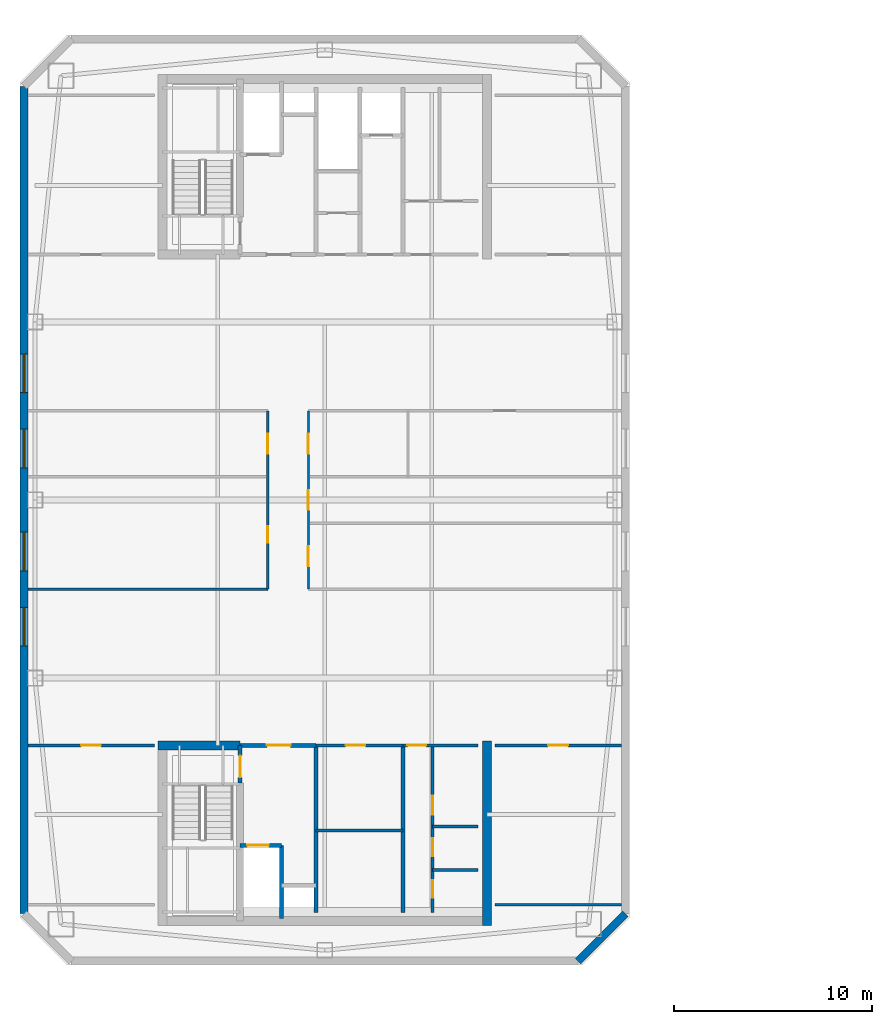
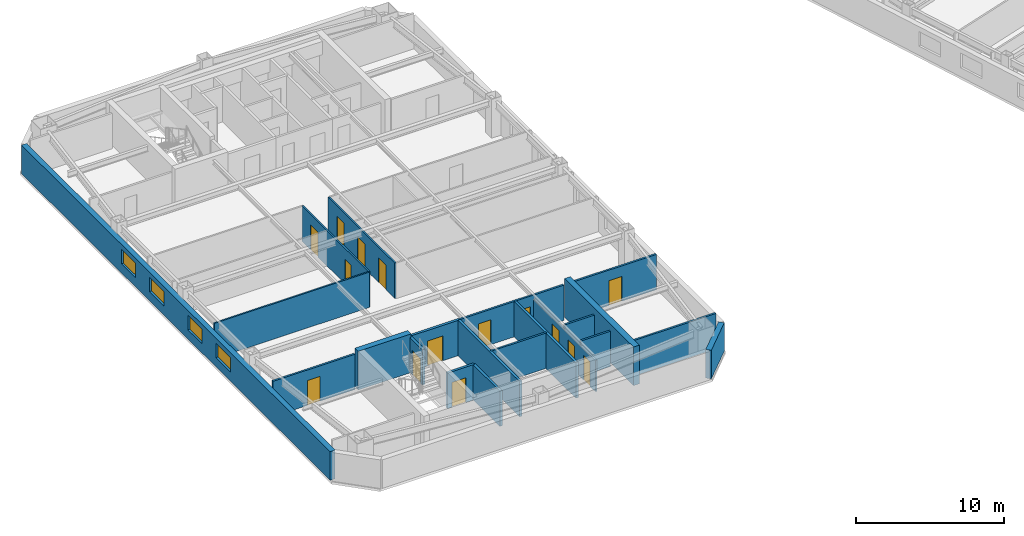
# One storey, part 5 of 13: 22 walls, 15 doors, 4 windows, 19 openings.
"""IFC4 building model written with IfcOpenShell, lengths in metres."""

from ifc_helpers import new_model, si_unit, direction, frame, frame_2d, origin, place, context, subcontext, project, spatial, rectangle, extrude, material, layer, layer_set, type_object, element, fill, save


model = new_model("IFC4")

# Units and contexts
model_context = context("Model", 3, precision=1e-05, world=origin(), true_north=direction((0.0, 1.0)))
body_context = subcontext(model_context, "Body", "Model", "MODEL_VIEW")
ifc_project = project(units=[si_unit("LENGTHUNIT", "METRE"), si_unit("AREAUNIT", "SQUARE_METRE"), si_unit("VOLUMEUNIT", "CUBIC_METRE"), si_unit("PLANEANGLEUNIT", "RADIAN"), si_unit("MASSUNIT", "GRAM", prefix="KILO")], contexts=[model_context])

# Site, building, storey
site_placement = place(None, origin())
site = spatial("IfcSite", under=ifc_project, at=site_placement, CompositionType="ELEMENT")
building_placement = place(site_placement, origin())
building = spatial("IfcBuilding", under=site, at=building_placement, Name="Qiaolan Cultural Towers", CompositionType="ELEMENT")
storey_placement = place(building_placement, frame((0.0, 0.0, 234.39990234375)))
storey = spatial("IfcBuildingStorey", under=building, at=storey_placement, Name="L63", CompositionType="ELEMENT", Elevation=234.39990234375)

# Walls
ifc_material_1 = material(Name="Concrete C50", Category="concrete")
ifc_layer_1 = layer(ifc_material_1, 0.449951171875)
ifc_layer_set_1 = layer_set([ifc_layer_1], Name="Concrete C50")
wall_type_1 = type_object("IfcWallType", Name="WL-CORE-450", PredefinedType="SHEAR", material=ifc_layer_set_1)
wall_1_placement = place(storey_placement, frame((38.199951171875, 21.824951171875, 0.0), z_axis=(0.0, 0.0, 1.0), x_axis=(0.0, -1.0, 0.0)))
element("IfcWall", 1, at=wall_1_placement, inside=storey, type_object=wall_type_1, Name="L63 T1-CS East Core Shear Wall", PredefinedType="SHEAR", context=body_context, shape_type="SweptSolid", body=[
    extrude(rectangle(XDim=9.329833984375, YDim=0.449951171875, at=frame_2d((4.6650390625, 0.0))), origin(), (0.0, 0.0, 1.0), 3.2001953125),
])
wall_2_placement = place(storey_placement, frame((21.574951171875, 21.60009765625, 0.0), z_axis=(0.0, 0.0, 1.0), x_axis=(1.0, 0.0, 0.0)))
element("IfcWall", 2, at=wall_2_placement, inside=storey, type_object=wall_type_1, Name="L63 T1-CS Stair Front Shear Wall", PredefinedType="SHEAR", context=body_context, shape_type="SweptSolid", body=[
    extrude(rectangle(XDim=4.14501953125, YDim=0.449951171875, at=frame_2d((2.072509765625, 0.0))), origin(), (0.0, 0.0, 1.0), 3.2001953125),
])

# Wall, openings, windows
ifc_material_2 = material(Name="Precast Concrete C50 Honed Stone Pier", Category="masonry")
ifc_layer_2 = layer(ifc_material_2, 0.39990234375)
ifc_layer_set_2 = layer_set([ifc_layer_2], Name="Precast Concrete C50 Honed Stone Pier")
wall_type_2 = type_object("IfcWallType", Name="WL-EXT-PIER-400", PredefinedType="SOLIDWALL", material=ifc_layer_set_2)
wall_3_placement = place(storey_placement, frame((14.800048828125, 13.10009765625, 0.0), z_axis=(0.0, 0.0, 1.0), x_axis=(0.0, 1.0, 0.0)))
wall_3 = element("IfcWall", 3, at=wall_3_placement, inside=storey, type_object=wall_type_2, Name="L63 West Tower Precast Pier Facade Wall F1", PredefinedType="SOLIDWALL", context=body_context, shape_type="SweptSolid", body=[
    extrude(rectangle(XDim=41.7998046875, YDim=0.39990234375, at=frame_2d((20.89990234375, 0.0))), origin(), (0.0, 0.0, 1.0), 2.360107421875),
])
opening_1_placement = place(wall_3_placement, frame((13.52490234375, 0.0, 0.75)))
opening_1 = element("IfcOpeningElement", 4, at=opening_1_placement, cuts=wall_3, Name="Opening W-06", PredefinedType="OPENING", context=body_context, shape_type="SweptSolid", body=[
    extrude(rectangle(XDim=1.949951171875, YDim=1.2099609375, at=frame_2d((0.97509765625, 0.60498046875))), frame((0.0, 0.2099609375, 0.0), z_axis=(0.0, -1.0, 0.0), x_axis=(1.0, 0.0, 0.0)), (0.0, 0.0, 1.0), 0.419921875),
])
opening_2_placement = place(wall_3_placement, frame((17.324951171875, 0.0, 0.75)))
opening_2 = element("IfcOpeningElement", 5, at=opening_2_placement, cuts=wall_3, Name="Opening W-06", PredefinedType="OPENING", context=body_context, shape_type="SweptSolid", body=[
    extrude(rectangle(XDim=1.949951171875, YDim=1.2099609375, at=frame_2d((0.97509765625, 0.60498046875))), frame((0.0, 0.2099609375, 0.0), z_axis=(0.0, -1.0, 0.0), x_axis=(1.0, 0.0, 0.0)), (0.0, 0.0, 1.0), 0.419921875),
])
opening_3_placement = place(wall_3_placement, frame((22.52490234375, 0.0, 0.75)))
opening_3 = element("IfcOpeningElement", 6, at=opening_3_placement, cuts=wall_3, Name="Opening W-06", PredefinedType="OPENING", context=body_context, shape_type="SweptSolid", body=[
    extrude(rectangle(XDim=1.949951171875, YDim=1.2099609375, at=frame_2d((0.97509765625, 0.60498046875))), frame((0.0, 0.2099609375, 0.0), z_axis=(0.0, -1.0, 0.0), x_axis=(1.0, 0.0, 0.0)), (0.0, 0.0, 1.0), 0.419921875),
])
opening_4_placement = place(wall_3_placement, frame((26.324951171875, 0.0, 0.75)))
opening_4 = element("IfcOpeningElement", 7, at=opening_4_placement, cuts=wall_3, Name="Opening W-06", PredefinedType="OPENING", context=body_context, shape_type="SweptSolid", body=[
    extrude(rectangle(XDim=1.949951171875, YDim=1.2099609375, at=frame_2d((0.97509765625, 0.60498046875))), frame((0.0, 0.2099609375, 0.0), z_axis=(0.0, -1.0, 0.0), x_axis=(1.0, 0.0, 0.0)), (0.0, 0.0, 1.0), 0.419921875),
])
ifc_material_3 = material(Name="Thermally Broken Aluminium Triple Low-E Glazing", Category="aluminium")
window_type = type_object("IfcWindowType", Name="WN-CHIC-1950", PartitioningType="SINGLE_PANEL", PredefinedType="WINDOW", material=ifc_material_3)
window_1_placement = place(opening_1_placement, origin())
window_1 = element("IfcWindow", 8, at=window_1_placement, inside=storey, type_object=window_type, Name="L63 T1 W Chicago Bay Window 1", OverallHeight=1.2099609375, OverallWidth=1.949951171875, PartitioningType="TRIPLE_PANEL_VERTICAL", PredefinedType="WINDOW", context=body_context, shape_type="SweptSolid", body=[
    extrude(rectangle(XDim=1.949951171875, YDim=1.2099609375, at=frame_2d((0.97509765625, 0.60498046875))), frame((0.0, 0.030029296875, 0.0), z_axis=(0.0, -1.0, 0.0), x_axis=(1.0, 0.0, 0.0)), (0.0, 0.0, 1.0), 0.06005859375),
])
fill(opening_1, window_1)
window_2_placement = place(opening_2_placement, origin())
window_2 = element("IfcWindow", 9, at=window_2_placement, inside=storey, type_object=window_type, Name="L63 T1 W Chicago Bay Window 2", OverallHeight=1.2099609375, OverallWidth=1.949951171875, PartitioningType="TRIPLE_PANEL_VERTICAL", PredefinedType="WINDOW", context=body_context, shape_type="SweptSolid", body=[
    extrude(rectangle(XDim=1.949951171875, YDim=1.2099609375, at=frame_2d((0.97509765625, 0.60498046875))), frame((0.0, 0.030029296875, 0.0), z_axis=(0.0, -1.0, 0.0), x_axis=(1.0, 0.0, 0.0)), (0.0, 0.0, 1.0), 0.06005859375),
])
fill(opening_2, window_2)
window_3_placement = place(opening_3_placement, origin())
window_3 = element("IfcWindow", 10, at=window_3_placement, inside=storey, type_object=window_type, Name="L63 T1 W Chicago Bay Window 3", OverallHeight=1.2099609375, OverallWidth=1.949951171875, PartitioningType="TRIPLE_PANEL_VERTICAL", PredefinedType="WINDOW", context=body_context, shape_type="SweptSolid", body=[
    extrude(rectangle(XDim=1.949951171875, YDim=1.2099609375, at=frame_2d((0.97509765625, 0.60498046875))), frame((0.0, 0.030029296875, 0.0), z_axis=(0.0, -1.0, 0.0), x_axis=(1.0, 0.0, 0.0)), (0.0, 0.0, 1.0), 0.06005859375),
])
fill(opening_3, window_3)
window_4_placement = place(opening_4_placement, origin())
window_4 = element("IfcWindow", 11, at=window_4_placement, inside=storey, type_object=window_type, Name="L63 T1 W Chicago Bay Window 4", OverallHeight=1.2099609375, OverallWidth=1.949951171875, PartitioningType="TRIPLE_PANEL_VERTICAL", PredefinedType="WINDOW", context=body_context, shape_type="SweptSolid", body=[
    extrude(rectangle(XDim=1.949951171875, YDim=1.2099609375, at=frame_2d((0.97509765625, 0.60498046875))), frame((0.0, 0.030029296875, 0.0), z_axis=(0.0, -1.0, 0.0), x_axis=(1.0, 0.0, 0.0)), (0.0, 0.0, 1.0), 0.06005859375),
])
fill(opening_4, window_4)

# Wall
wall_4_placement = place(storey_placement, frame((45.199951171875, 13.10009765625, 0.0), z_axis=(0.0, 0.0, 1.0), x_axis=(-0.707070815327, -0.707142745217, 0.0)))
element("IfcWall", 12, at=wall_4_placement, inside=storey, type_object=wall_type_2, Name="L63 West Tower Precast Pier Facade Wall F6", PredefinedType="SOLIDWALL", context=body_context, shape_type="SweptSolid", body=[
    extrude(rectangle(XDim=3.39404296875, YDim=0.39990234375, at=frame_2d((1.697021484375, 0.0))), origin(), (0.0, 0.0, 1.0), 2.360107421875),
])

# Wall, opening, door
ifc_material_4 = material(Name="Concrete C35 Fire Wall", Category="concrete")
ifc_layer_3 = layer(ifc_material_4, 0.199951171875)
ifc_layer_set_3 = layer_set([ifc_layer_3], Name="Concrete C35 Fire Wall")
wall_type_3 = type_object("IfcWallType", Name="WL-FIRE-200", PredefinedType="PARTITIONING", material=ifc_layer_set_3)
wall_5_placement = place(storey_placement, frame((25.719970703125, 21.60009765625, 0.0), z_axis=(0.0, 0.0, 1.0), x_axis=(0.0, -1.0, 0.0)))
wall_5 = element("IfcWall", 13, at=wall_5_placement, inside=storey, type_object=wall_type_3, Name="L63 T1-CS Smokeproof Stair Entry Wall", PredefinedType="PARTITIONING", context=body_context, shape_type="SweptSolid", body=[
    extrude(rectangle(XDim=1.900146484375, YDim=0.199951171875, at=frame_2d((0.9501953125, 0.0))), origin(), (0.0, 0.0, 1.0), 2.925048828125),
])
opening_5_placement = place(wall_5_placement, frame((0.52001953125, 0.0, 0.0)))
opening_5 = element("IfcOpeningElement", 14, at=opening_5_placement, cuts=wall_5, Name="Opening FD-04", PredefinedType="OPENING", context=body_context, shape_type="SweptSolid", body=[
    extrude(rectangle(XDim=1.10009765625, YDim=2.050048828125, at=frame_2d((0.550048828125, 1.02490234375))), frame((0.0, 0.10986328125, 0.0), z_axis=(0.0, -1.0, 0.0), x_axis=(1.0, 0.0, 0.0)), (0.0, 0.0, 1.0), 0.219970703125),
])
ifc_material_5 = material(Name="Galvanized Steel Command Fire Door", Category="steel")
door_type_1 = type_object("IfcDoorType", Name="DR-FD90-1100", OperationType="NOTDEFINED", PredefinedType="DOOR", material=ifc_material_5)
door_1_placement = place(opening_5_placement, origin())
door_1 = element("IfcDoor", 15, at=door_1_placement, inside=storey, type_object=door_type_1, Name="L63 ST-W1 Smokeproof Stair Fire Door", OperationType="SINGLE_SWING_LEFT", OverallHeight=2.050048828125, OverallWidth=1.10009765625, PredefinedType="DOOR", context=body_context, shape_type="SweptSolid", body=[
    extrude(rectangle(XDim=1.10009765625, YDim=2.050048828125, at=frame_2d((0.550048828125, 1.02490234375))), frame((0.0, 0.02490234375, 0.0), z_axis=(0.0, -1.0, 0.0), x_axis=(1.0, 0.0, 0.0)), (0.0, 0.0, 1.0), 0.050048828125),
])
fill(opening_5, door_1)

# Wall
wall_6_placement = place(storey_placement, frame((29.550048828125, 21.60009765625, 0.0), z_axis=(0.0, 0.0, 1.0), x_axis=(0.0, -1.0, 0.0)))
element("IfcWall", 16, at=wall_6_placement, inside=storey, type_object=wall_type_3, Name="L63 T1-CS Firefighting Zone Wall", PredefinedType="PARTITIONING", context=body_context, shape_type="SweptSolid", body=[
    extrude(rectangle(XDim=8.43017578125, YDim=0.199951171875, at=frame_2d((4.215087890625, 0.0))), origin(), (0.0, 0.0, 1.0), 2.925048828125),
])

# Wall, opening, door
wall_7_placement = place(storey_placement, frame((25.719970703125, 21.60009765625, 0.0), z_axis=(0.0, 0.0, 1.0), x_axis=(1.0, 0.0, 0.0)))
wall_7 = element("IfcWall", 17, at=wall_7_placement, inside=storey, type_object=wall_type_3, Name="L63 T1-CS Firefighting Lobby Front Wall", PredefinedType="PARTITIONING", context=body_context, shape_type="SweptSolid", body=[
    extrude(rectangle(XDim=3.830078125, YDim=0.199951171875, at=frame_2d((1.9150390625, 0.0))), origin(), (0.0, 0.0, 1.0), 2.925048828125),
])
opening_6_placement = place(wall_7_placement, frame((1.35009765625, 0.0, 0.0)))
opening_6 = element("IfcOpeningElement", 18, at=opening_6_placement, cuts=wall_7, Name="Opening FD-03", PredefinedType="OPENING", context=body_context, shape_type="SweptSolid", body=[
    extrude(rectangle(XDim=1.199951171875, YDim=2.050048828125, at=frame_2d((0.60009765625, 1.02490234375))), frame((0.0, 0.10986328125, 0.0), z_axis=(0.0, -1.0, 0.0), x_axis=(1.0, 0.0, 0.0)), (0.0, 0.0, 1.0), 0.219970703125),
])
ifc_material_6 = material(Name="Galvanized Steel Smokeproof Lobby Fire Door", Category="steel")
door_type_2 = type_object("IfcDoorType", Name="DR-FD90-1200", OperationType="NOTDEFINED", PredefinedType="DOOR", material=ifc_material_6)
door_2_placement = place(opening_6_placement, origin())
door_2 = element("IfcDoor", 19, at=door_2_placement, inside=storey, type_object=door_type_2, Name="L63 FFL-W1 Firefighting Lobby Fire Door", OperationType="SINGLE_SWING_LEFT", OverallHeight=2.050048828125, OverallWidth=1.199951171875, PredefinedType="DOOR", context=body_context, shape_type="SweptSolid", body=[
    extrude(rectangle(XDim=1.199951171875, YDim=2.050048828125, at=frame_2d((0.60009765625, 1.02490234375))), frame((0.0, 0.02490234375, 0.0), z_axis=(0.0, -1.0, 0.0), x_axis=(1.0, 0.0, 0.0)), (0.0, 0.0, 1.0), 0.050048828125),
])
fill(opening_6, door_2)

wall_8_placement = place(storey_placement, frame((25.719970703125, 16.550048828125, 0.0), z_axis=(0.0, 0.0, 1.0), x_axis=(1.0, 0.0, 0.0)))
wall_8 = element("IfcWall", 20, at=wall_8_placement, inside=storey, type_object=wall_type_3, Name="L63 T1-CS Firefighting Shaft Front Wall", PredefinedType="PARTITIONING", context=body_context, shape_type="SweptSolid", body=[
    extrude(rectangle(XDim=2.10009765625, YDim=0.199951171875, at=frame_2d((1.050048828125, 0.0))), origin(), (0.0, 0.0, 1.0), 2.925048828125),
])
opening_7_placement = place(wall_8_placement, frame((0.35009765625, 0.0, 0.0)))
opening_7 = element("IfcOpeningElement", 21, at=opening_7_placement, cuts=wall_8, Name="Opening LD-01", PredefinedType="OPENING", context=body_context, shape_type="SweptSolid", body=[
    extrude(rectangle(XDim=1.10009765625, YDim=2.050048828125, at=frame_2d((0.550048828125, 1.02490234375))), frame((0.0, 0.10986328125, 0.0), z_axis=(0.0, -1.0, 0.0), x_axis=(1.0, 0.0, 0.0)), (0.0, 0.0, 1.0), 0.219970703125),
])
ifc_material_7 = material(Name="Brushed Stainless Steel S30408 Centre-Parting Lift Landing Door", Category="steel")
door_type_3 = type_object("IfcDoorType", Name="DR-LIFT-1100", OperationType="NOTDEFINED", PredefinedType="DOOR", material=ifc_material_7)
door_3_placement = place(opening_7_placement, origin())
door_3 = element("IfcDoor", 22, at=door_3_placement, inside=storey, type_object=door_type_3, Name="L63 FFL-W1 Firefighting Lift Landing Door", OperationType="DOUBLE_DOOR_SLIDING", OverallHeight=2.050048828125, OverallWidth=1.10009765625, PredefinedType="DOOR", context=body_context, shape_type="SweptSolid", body=[
    extrude(rectangle(XDim=1.10009765625, YDim=2.050048828125, at=frame_2d((0.550048828125, 1.02490234375))), frame((0.0, 0.02490234375, 0.0), z_axis=(0.0, -1.0, 0.0), x_axis=(1.0, 0.0, 0.0)), (0.0, 0.0, 1.0), 0.050048828125),
])
fill(opening_7, door_3)

# Walls
wall_9_placement = place(storey_placement, frame((27.820068359375, 16.550048828125, 0.0), z_axis=(0.0, 0.0, 1.0), x_axis=(0.0, -1.0, 0.0)))
element("IfcWall", 23, at=wall_9_placement, inside=storey, type_object=wall_type_3, Name="L63 T1-CS Firefighting Hoistway East Wall", PredefinedType="PARTITIONING", context=body_context, shape_type="SweptSolid", body=[
    extrude(rectangle(XDim=3.699951171875, YDim=0.199951171875, at=frame_2d((1.85009765625, 0.0))), origin(), (0.0, 0.0, 1.0), 2.925048828125),
])
wall_10_placement = place(storey_placement, frame((33.949951171875, 21.60009765625, 0.0), z_axis=(0.0, 0.0, 1.0), x_axis=(0.0, -1.0, 0.0)))
element("IfcWall", 24, at=wall_10_placement, inside=storey, type_object=wall_type_3, Name="L63 T1-CS Lift Core East Wall", PredefinedType="PARTITIONING", context=body_context, shape_type="SweptSolid", body=[
    extrude(rectangle(XDim=8.43017578125, YDim=0.199951171875, at=frame_2d((4.215087890625, 0.0))), origin(), (0.0, 0.0, 1.0), 2.925048828125),
])
ifc_material_8 = material(Name="Gypsum Stud Acoustic Partition", Category="gypsum")
ifc_layer_4 = layer(ifc_material_8, 0.1201171875)
ifc_layer_set_4 = layer_set([ifc_layer_4], Name="Gypsum Stud Acoustic Partition")
wall_type_4 = type_object("IfcWallType", Name="WL-PART-120", PredefinedType="PARTITIONING", material=ifc_layer_set_4)
wall_11_placement = place(storey_placement, frame((15.0, 29.5, 0.0), z_axis=(0.0, 0.0, 1.0), x_axis=(1.0, 0.0, 0.0)))
element("IfcWall", 25, at=wall_11_placement, inside=storey, type_object=wall_type_4, Name="L63 T1 South Foyer West Wall", PredefinedType="PARTITIONING", context=body_context, shape_type="SweptSolid", body=[
    extrude(rectangle(XDim=12.125, YDim=0.1201171875, at=frame_2d((6.0625, 0.0))), origin(), (0.0, 0.0, 1.0), 2.925048828125),
])

# Wall, openings, doors
wall_12_placement = place(storey_placement, frame((27.125, 29.5, 0.0), z_axis=(0.0, 0.0, 1.0), x_axis=(0.0, 1.0, 0.0)))
wall_12 = element("IfcWall", 26, at=wall_12_placement, inside=storey, type_object=wall_type_4, Name="L63 T1 Central Spine West Wall", PredefinedType="PARTITIONING", context=body_context, shape_type="SweptSolid", body=[
    extrude(rectangle(XDim=9.0, YDim=0.1201171875, at=frame_2d((4.5, 0.0))), origin(), (0.0, 0.0, 1.0), 2.925048828125),
])
opening_8_placement = place(wall_12_placement, frame((2.3349609375, 0.0, 0.0)))
opening_8 = element("IfcOpeningElement", 27, at=opening_8_placement, cuts=wall_12, Name="Opening ID-09", PredefinedType="OPENING", context=body_context, shape_type="SweptSolid", body=[
    extrude(rectangle(XDim=0.85009765625, YDim=2.050048828125, at=frame_2d((0.425048828125, 1.02490234375))), frame((0.0, 0.070068359375, 0.0), z_axis=(0.0, -1.0, 0.0), x_axis=(1.0, 0.0, 0.0)), (0.0, 0.0, 1.0), 0.14013671875),
])
opening_9_placement = place(wall_12_placement, frame((6.8349609375, 0.0, 0.0)))
opening_9 = element("IfcOpeningElement", 28, at=opening_9_placement, cuts=wall_12, Name="Opening ID-04", PredefinedType="OPENING", context=body_context, shape_type="SweptSolid", body=[
    extrude(rectangle(XDim=1.0, YDim=2.050048828125, at=frame_2d((0.5, 1.02490234375))), frame((0.0, 0.070068359375, 0.0), z_axis=(0.0, -1.0, 0.0), x_axis=(1.0, 0.0, 0.0)), (0.0, 0.0, 1.0), 0.14013671875),
])
ifc_material_9 = material(Name="Oak Veneer Acoustic Office Door", Category="timber")
door_type_4 = type_object("IfcDoorType", Name="DR-INT-1000", OperationType="NOTDEFINED", PredefinedType="DOOR", material=ifc_material_9)
door_4_placement = place(opening_9_placement, origin())
door_4 = element("IfcDoor", 29, at=door_4_placement, inside=storey, type_object=door_type_4, Name="L63 T1 Diplomatic Lounge Door", OperationType="SINGLE_SWING_RIGHT", OverallHeight=2.050048828125, OverallWidth=1.0, PredefinedType="DOOR", context=body_context, shape_type="SweptSolid", body=[
    extrude(rectangle(XDim=1.0, YDim=2.050048828125, at=frame_2d((0.5, 1.02490234375))), frame((0.0, 0.02490234375, 0.0), z_axis=(0.0, -1.0, 0.0), x_axis=(1.0, 0.0, 0.0)), (0.0, 0.0, 1.0), 0.050048828125),
])
fill(opening_9, door_4)
ifc_material_10 = material(Name="Moisture-Resistant Laminate Utility Door", Category="timber")
door_type_5 = type_object("IfcDoorType", Name="DR-INT-850", OperationType="NOTDEFINED", PredefinedType="DOOR", material=ifc_material_10)
door_5_placement = place(opening_8_placement, origin())
door_5 = element("IfcDoor", 30, at=door_5_placement, inside=storey, type_object=door_type_5, Name="L63 T1 Presidential Conference Room Door", OperationType="SINGLE_SWING_LEFT", OverallHeight=2.050048828125, OverallWidth=0.85009765625, PredefinedType="DOOR", context=body_context, shape_type="SweptSolid", body=[
    extrude(rectangle(XDim=0.85009765625, YDim=2.050048828125, at=frame_2d((0.425048828125, 1.02490234375))), frame((0.0, 0.02490234375, 0.0), z_axis=(0.0, -1.0, 0.0), x_axis=(1.0, 0.0, 0.0)), (0.0, 0.0, 1.0), 0.050048828125),
])
fill(opening_8, door_5)

wall_13_placement = place(storey_placement, frame((29.175048828125, 29.5, 0.0), z_axis=(0.0, 0.0, 1.0), x_axis=(0.0, 1.0, 0.0)))
wall_13 = element("IfcWall", 31, at=wall_13_placement, inside=storey, type_object=wall_type_4, Name="L63 T1 Central Spine East Wall", PredefinedType="PARTITIONING", context=body_context, shape_type="SweptSolid", body=[
    extrude(rectangle(XDim=9.0, YDim=0.1201171875, at=frame_2d((4.5, 0.0))), origin(), (0.0, 0.0, 1.0), 2.925048828125),
])
opening_10_placement = place(wall_13_placement, frame((1.1650390625, 0.0, 0.0)))
opening_10 = element("IfcOpeningElement", 32, at=opening_10_placement, cuts=wall_13, Name="Opening ID-04", PredefinedType="OPENING", context=body_context, shape_type="SweptSolid", body=[
    extrude(rectangle(XDim=1.0, YDim=2.050048828125, at=frame_2d((0.5, 1.02490234375))), frame((0.0, 0.070068359375, 0.0), z_axis=(0.0, -1.0, 0.0), x_axis=(1.0, 0.0, 0.0)), (0.0, 0.0, 1.0), 0.14013671875),
])
opening_11_placement = place(wall_13_placement, frame((4.0, 0.0, 0.0)))
opening_11 = element("IfcOpeningElement", 33, at=opening_11_placement, cuts=wall_13, Name="Opening ID-04", PredefinedType="OPENING", context=body_context, shape_type="SweptSolid", body=[
    extrude(rectangle(XDim=1.0, YDim=2.050048828125, at=frame_2d((0.5, 1.02490234375))), frame((0.0, 0.070068359375, 0.0), z_axis=(0.0, -1.0, 0.0), x_axis=(1.0, 0.0, 0.0)), (0.0, 0.0, 1.0), 0.14013671875),
])
opening_12_placement = place(wall_13_placement, frame((6.8349609375, 0.0, 0.0)))
opening_12 = element("IfcOpeningElement", 34, at=opening_12_placement, cuts=wall_13, Name="Opening ID-04", PredefinedType="OPENING", context=body_context, shape_type="SweptSolid", body=[
    extrude(rectangle(XDim=1.0, YDim=2.050048828125, at=frame_2d((0.5, 1.02490234375))), frame((0.0, 0.070068359375, 0.0), z_axis=(0.0, -1.0, 0.0), x_axis=(1.0, 0.0, 0.0)), (0.0, 0.0, 1.0), 0.14013671875),
])
door_6_placement = place(opening_10_placement, origin())
door_6 = element("IfcDoor", 35, at=door_6_placement, inside=storey, type_object=door_type_4, Name="L63 T1 Wellness Advisory Room Door", OperationType="SINGLE_SWING_RIGHT", OverallHeight=2.050048828125, OverallWidth=1.0, PredefinedType="DOOR", context=body_context, shape_type="SweptSolid", body=[
    extrude(rectangle(XDim=1.0, YDim=2.050048828125, at=frame_2d((0.5, 1.02490234375))), frame((0.0, 0.02490234375, 0.0), z_axis=(0.0, -1.0, 0.0), x_axis=(1.0, 0.0, 0.0)), (0.0, 0.0, 1.0), 0.050048828125),
])
fill(opening_10, door_6)
door_7_placement = place(opening_11_placement, origin())
door_7 = element("IfcDoor", 36, at=door_7_placement, inside=storey, type_object=door_type_4, Name="L63 T1 Art Edition Shop Door", OperationType="SINGLE_SWING_LEFT", OverallHeight=2.050048828125, OverallWidth=1.0, PredefinedType="DOOR", context=body_context, shape_type="SweptSolid", body=[
    extrude(rectangle(XDim=1.0, YDim=2.050048828125, at=frame_2d((0.5, 1.02490234375))), frame((0.0, 0.02490234375, 0.0), z_axis=(0.0, -1.0, 0.0), x_axis=(1.0, 0.0, 0.0)), (0.0, 0.0, 1.0), 0.050048828125),
])
fill(opening_11, door_7)
door_8_placement = place(opening_12_placement, origin())
door_8 = element("IfcDoor", 37, at=door_8_placement, inside=storey, type_object=door_type_4, Name="L63 T1 Private Kitchen Door", OperationType="SINGLE_SWING_LEFT", OverallHeight=2.050048828125, OverallWidth=1.0, PredefinedType="DOOR", context=body_context, shape_type="SweptSolid", body=[
    extrude(rectangle(XDim=1.0, YDim=2.050048828125, at=frame_2d((0.5, 1.02490234375))), frame((0.0, 0.02490234375, 0.0), z_axis=(0.0, -1.0, 0.0), x_axis=(1.0, 0.0, 0.0)), (0.0, 0.0, 1.0), 0.050048828125),
])
fill(opening_12, door_8)

# Wall, opening, door
ifc_material_11 = material(Name="Autoclaved Aerated Concrete Block B06", Category="concrete")
ifc_layer_5 = layer(ifc_material_11, 0.14990234375)
ifc_layer_set_5 = layer_set([ifc_layer_5], Name="Autoclaved Aerated Concrete Block B06")
wall_type_5 = type_object("IfcWallType", Name="WL-PART-150", PredefinedType="PARTITIONING", material=ifc_layer_set_5)
wall_14_placement = place(storey_placement, frame((29.550048828125, 21.60009765625, 0.0), z_axis=(0.0, 0.0, 1.0), x_axis=(1.0, 0.0, 0.0)))
wall_14 = element("IfcWall", 38, at=wall_14_placement, inside=storey, type_object=wall_type_5, Name="L63 T1-CS Reclaimed Core Room Front Wall", PredefinedType="PARTITIONING", context=body_context, shape_type="SweptSolid", body=[
    extrude(rectangle(XDim=4.39990234375, YDim=0.14990234375, at=frame_2d((2.199951171875, 0.0))), origin(), (0.0, 0.0, 1.0), 2.925048828125),
])
opening_13_placement = place(wall_14_placement, frame((1.5, 0.0, 0.0)))
opening_13 = element("IfcOpeningElement", 39, at=opening_13_placement, cuts=wall_14, Name="Opening ID-04", PredefinedType="OPENING", context=body_context, shape_type="SweptSolid", body=[
    extrude(rectangle(XDim=1.0, YDim=2.050048828125, at=frame_2d((0.5, 1.02490234375))), frame((0.0, 0.0849609375, 0.0), z_axis=(0.0, -1.0, 0.0), x_axis=(1.0, 0.0, 0.0)), (0.0, 0.0, 1.0), 0.169921875),
])
door_9_placement = place(opening_13_placement, origin())
door_9 = element("IfcDoor", 40, at=door_9_placement, inside=storey, type_object=door_type_4, Name="L63 Focus Pod Room Door", OperationType="SINGLE_SWING_LEFT", OverallHeight=2.050048828125, OverallWidth=1.0, PredefinedType="DOOR", context=body_context, shape_type="SweptSolid", body=[
    extrude(rectangle(XDim=1.0, YDim=2.050048828125, at=frame_2d((0.5, 1.02490234375))), frame((0.0, 0.02490234375, 0.0), z_axis=(0.0, -1.0, 0.0), x_axis=(1.0, 0.0, 0.0)), (0.0, 0.0, 1.0), 0.050048828125),
])
fill(opening_13, door_9)

# Wall
wall_15_placement = place(storey_placement, frame((29.550048828125, 17.300048828125, 0.0), z_axis=(0.0, 0.0, 1.0), x_axis=(1.0, 0.0, 0.0)))
element("IfcWall", 41, at=wall_15_placement, inside=storey, type_object=wall_type_5, Name="L63 T1-CS Reclaimed Room Subdivider", PredefinedType="PARTITIONING", context=body_context, shape_type="SweptSolid", body=[
    extrude(rectangle(XDim=4.39990234375, YDim=0.14990234375, at=frame_2d((2.199951171875, 0.0))), origin(), (0.0, 0.0, 1.0), 2.925048828125),
])

# Wall, opening, door
wall_16_placement = place(storey_placement, frame((33.949951171875, 21.60009765625, 0.0), z_axis=(0.0, 0.0, 1.0), x_axis=(1.0, 0.0, 0.0)))
wall_16 = element("IfcWall", 42, at=wall_16_placement, inside=storey, type_object=wall_type_5, Name="L63 T1-CS Sanitary Core Front Wall", PredefinedType="PARTITIONING", context=body_context, shape_type="SweptSolid", body=[
    extrude(rectangle(XDim=3.800048828125, YDim=0.14990234375, at=frame_2d((1.89990234375, 0.0))), origin(), (0.0, 0.0, 1.0), 2.925048828125),
])
opening_14_placement = place(wall_16_placement, frame((0.219970703125, 0.0, 0.0)))
opening_14 = element("IfcOpeningElement", 43, at=opening_14_placement, cuts=wall_16, Name="Opening ID-05", PredefinedType="OPENING", context=body_context, shape_type="SweptSolid", body=[
    extrude(rectangle(XDim=0.949951171875, YDim=2.050048828125, at=frame_2d((0.47509765625, 1.02490234375))), frame((0.0, 0.0849609375, 0.0), z_axis=(0.0, -1.0, 0.0), x_axis=(1.0, 0.0, 0.0)), (0.0, 0.0, 1.0), 0.169921875),
])
ifc_material_12 = material(Name="Fire-Rated Laminate Accessible Core Door", Category="timber")
door_type_6 = type_object("IfcDoorType", Name="DR-INT-950", OperationType="NOTDEFINED", PredefinedType="DOOR", material=ifc_material_12)
door_10_placement = place(opening_14_placement, origin())
door_10 = element("IfcDoor", 44, at=door_10_placement, inside=storey, type_object=door_type_6, Name="L63 Sanitary Vestibule Door", OperationType="SINGLE_SWING_LEFT", OverallHeight=2.050048828125, OverallWidth=0.949951171875, PredefinedType="DOOR", context=body_context, shape_type="SweptSolid", body=[
    extrude(rectangle(XDim=0.949951171875, YDim=2.050048828125, at=frame_2d((0.47509765625, 1.02490234375))), frame((0.0, 0.02490234375, 0.0), z_axis=(0.0, -1.0, 0.0), x_axis=(1.0, 0.0, 0.0)), (0.0, 0.0, 1.0), 0.050048828125),
])
fill(opening_14, door_10)

# Wall, openings, doors
wall_17_placement = place(storey_placement, frame((35.449951171875, 21.60009765625, 0.0), z_axis=(0.0, 0.0, 1.0), x_axis=(0.0, -1.0, 0.0)))
wall_17 = element("IfcWall", 45, at=wall_17_placement, inside=storey, type_object=wall_type_5, Name="L63 T1-CS Sanitary Vestibule Wall", PredefinedType="PARTITIONING", context=body_context, shape_type="SweptSolid", body=[
    extrude(rectangle(XDim=8.43017578125, YDim=0.14990234375, at=frame_2d((4.215087890625, 0.0))), origin(), (0.0, 0.0, 1.0), 2.565185546875),
])
opening_15_placement = place(wall_17_placement, frame((2.550048828125, 0.0, 0.0)))
opening_15 = element("IfcOpeningElement", 46, at=opening_15_placement, cuts=wall_17, Name="Opening ID-05", PredefinedType="OPENING", context=body_context, shape_type="SweptSolid", body=[
    extrude(rectangle(XDim=0.949951171875, YDim=2.050048828125, at=frame_2d((0.47509765625, 1.02490234375))), frame((0.0, 0.0849609375, 0.0), z_axis=(0.0, -1.0, 0.0), x_axis=(1.0, 0.0, 0.0)), (0.0, 0.0, 1.0), 0.169921875),
])
opening_16_placement = place(wall_17_placement, frame((4.699951171875, 0.0, 0.0)))
opening_16 = element("IfcOpeningElement", 47, at=opening_16_placement, cuts=wall_17, Name="Opening ID-06", PredefinedType="OPENING", context=body_context, shape_type="SweptSolid", body=[
    extrude(rectangle(XDim=0.89990234375, YDim=2.050048828125, at=frame_2d((0.449951171875, 1.02490234375))), frame((0.0, 0.0849609375, 0.0), z_axis=(0.0, -1.0, 0.0), x_axis=(1.0, 0.0, 0.0)), (0.0, 0.0, 1.0), 0.169921875),
])
opening_17_placement = place(wall_17_placement, frame((6.800048828125, 0.0, 0.0)))
opening_17 = element("IfcOpeningElement", 48, at=opening_17_placement, cuts=wall_17, Name="Opening ID-06", PredefinedType="OPENING", context=body_context, shape_type="SweptSolid", body=[
    extrude(rectangle(XDim=0.89990234375, YDim=2.050048828125, at=frame_2d((0.449951171875, 1.02490234375))), frame((0.0, 0.0849609375, 0.0), z_axis=(0.0, -1.0, 0.0), x_axis=(1.0, 0.0, 0.0)), (0.0, 0.0, 1.0), 0.169921875),
])
ifc_material_13 = material(Name="Fire-Rated Laminate Core Service Door", Category="timber")
door_type_7 = type_object("IfcDoorType", Name="DR-INT-900", OperationType="NOTDEFINED", PredefinedType="DOOR", material=ifc_material_13)
door_11_placement = place(opening_16_placement, origin())
door_11 = element("IfcDoor", 49, at=door_11_placement, inside=storey, type_object=door_type_7, Name="L63 Men Washroom Door", OperationType="SINGLE_SWING_LEFT", OverallHeight=2.050048828125, OverallWidth=0.89990234375, PredefinedType="DOOR", context=body_context, shape_type="SweptSolid", body=[
    extrude(rectangle(XDim=0.89990234375, YDim=2.050048828125, at=frame_2d((0.449951171875, 1.02490234375))), frame((0.0, 0.02490234375, 0.0), z_axis=(0.0, -1.0, 0.0), x_axis=(1.0, 0.0, 0.0)), (0.0, 0.0, 1.0), 0.050048828125),
])
fill(opening_16, door_11)
door_12_placement = place(opening_17_placement, origin())
door_12 = element("IfcDoor", 50, at=door_12_placement, inside=storey, type_object=door_type_7, Name="L63 Women Washroom Door", OperationType="SINGLE_SWING_RIGHT", OverallHeight=2.050048828125, OverallWidth=0.89990234375, PredefinedType="DOOR", context=body_context, shape_type="SweptSolid", body=[
    extrude(rectangle(XDim=0.89990234375, YDim=2.050048828125, at=frame_2d((0.449951171875, 1.02490234375))), frame((0.0, 0.02490234375, 0.0), z_axis=(0.0, -1.0, 0.0), x_axis=(1.0, 0.0, 0.0)), (0.0, 0.0, 1.0), 0.050048828125),
])
fill(opening_17, door_12)
door_13_placement = place(opening_15_placement, origin())
door_13 = element("IfcDoor", 51, at=door_13_placement, inside=storey, type_object=door_type_6, Name="L63 Accessible Family Washroom Door", OperationType="SINGLE_SWING_LEFT", OverallHeight=2.050048828125, OverallWidth=0.949951171875, PredefinedType="DOOR", context=body_context, shape_type="SweptSolid", body=[
    extrude(rectangle(XDim=0.949951171875, YDim=2.050048828125, at=frame_2d((0.47509765625, 1.02490234375))), frame((0.0, 0.02490234375, 0.0), z_axis=(0.0, -1.0, 0.0), x_axis=(1.0, 0.0, 0.0)), (0.0, 0.0, 1.0), 0.050048828125),
])
fill(opening_15, door_13)

# Walls
for number, where, z_axis, x_axis, name in (
    (52, (35.449951171875, 17.5, 0.0), (0.0, 0.0, 1.0), (1.0, 0.0, 0.0), "L63 T1-CS Restroom Split Wall 1"),
    (53, (35.449951171875, 15.300048828125, 0.0), (0.0, 0.0, 1.0), (1.0, 0.0, 0.0), "L63 T1-CS Restroom Split Wall 2"),
):
    element("IfcWall", number, at=place(storey_placement, frame(where, z_axis=z_axis, x_axis=x_axis)), inside=storey, type_object=wall_type_5, Name=name, PredefinedType="PARTITIONING", context=body_context, shape_type="SweptSolid", body=[
        extrude(rectangle(XDim=2.300048828125, YDim=0.14990234375, at=frame_2d((1.14990234375, 0.0))), origin(), (0.0, 0.0, 1.0), 2.925048828125),
    ])

# Wall, opening, door
wall_18_placement = place(storey_placement, frame((15.0, 21.60009765625, 0.0), z_axis=(0.0, 0.0, 1.0), x_axis=(1.0, 0.0, 0.0)))
wall_18 = element("IfcWall", 54, at=wall_18_placement, inside=storey, type_object=wall_type_5, Name="L63 T1 Flank Front FLK-SW", PredefinedType="PARTITIONING", context=body_context, shape_type="SweptSolid", body=[
    extrude(rectangle(XDim=6.39990234375, YDim=0.14990234375, at=frame_2d((3.199951171875, 0.0))), origin(), (0.0, 0.0, 1.0), 2.925048828125),
])
opening_18_placement = place(wall_18_placement, frame((2.68798828125, 0.0, 0.0)))
opening_18 = element("IfcOpeningElement", 55, at=opening_18_placement, cuts=wall_18, Name="Opening ID-04", PredefinedType="OPENING", context=body_context, shape_type="SweptSolid", body=[
    extrude(rectangle(XDim=1.0, YDim=2.050048828125, at=frame_2d((0.5, 1.02490234375))), frame((0.0, 0.0849609375, 0.0), z_axis=(0.0, -1.0, 0.0), x_axis=(1.0, 0.0, 0.0)), (0.0, 0.0, 1.0), 0.169921875),
])
door_14_placement = place(opening_18_placement, origin())
door_14 = element("IfcDoor", 56, at=door_14_placement, inside=storey, type_object=door_type_4, Name="L63 T1 Corner Studio Door", OperationType="SINGLE_SWING_LEFT", OverallHeight=2.050048828125, OverallWidth=1.0, PredefinedType="DOOR", context=body_context, shape_type="SweptSolid", body=[
    extrude(rectangle(XDim=1.0, YDim=2.050048828125, at=frame_2d((0.5, 1.02490234375))), frame((0.0, 0.02490234375, 0.0), z_axis=(0.0, -1.0, 0.0), x_axis=(1.0, 0.0, 0.0)), (0.0, 0.0, 1.0), 0.050048828125),
])
fill(opening_18, door_14)

# Wall
wall_19_placement = place(storey_placement, frame((38.60009765625, 13.550048828125, 0.0), z_axis=(0.0, 0.0, 1.0), x_axis=(1.0, 0.0, 0.0)))
element("IfcWall", 57, at=wall_19_placement, inside=storey, type_object=wall_type_5, Name="L63 T1 Flank Wall FLK-SE", PredefinedType="PARTITIONING", context=body_context, shape_type="SweptSolid", body=[
    extrude(rectangle(XDim=6.39990234375, YDim=0.14990234375, at=frame_2d((3.199951171875, 0.0))), origin(), (0.0, 0.0, 1.0), 2.925048828125),
])

# Wall, opening, door
wall_20_placement = place(storey_placement, frame((38.60009765625, 21.60009765625, 0.0), z_axis=(0.0, 0.0, 1.0), x_axis=(1.0, 0.0, 0.0)))
wall_20 = element("IfcWall", 58, at=wall_20_placement, inside=storey, type_object=wall_type_5, Name="L63 T1 Flank Front FLK-SE", PredefinedType="PARTITIONING", context=body_context, shape_type="SweptSolid", body=[
    extrude(rectangle(XDim=6.39990234375, YDim=0.14990234375, at=frame_2d((3.199951171875, 0.0))), origin(), (0.0, 0.0, 1.0), 2.925048828125),
])
opening_19_placement = place(wall_20_placement, frame((2.68798828125, 0.0, 0.0)))
opening_19 = element("IfcOpeningElement", 59, at=opening_19_placement, cuts=wall_20, Name="Opening ID-04", PredefinedType="OPENING", context=body_context, shape_type="SweptSolid", body=[
    extrude(rectangle(XDim=1.0, YDim=2.050048828125, at=frame_2d((0.5, 1.02490234375))), frame((0.0, 0.0849609375, 0.0), z_axis=(0.0, -1.0, 0.0), x_axis=(1.0, 0.0, 0.0)), (0.0, 0.0, 1.0), 0.169921875),
])
door_15_placement = place(opening_19_placement, origin())
door_15 = element("IfcDoor", 60, at=door_15_placement, inside=storey, type_object=door_type_4, Name="L63 T1 Corner Studio Door", OperationType="SINGLE_SWING_LEFT", OverallHeight=2.050048828125, OverallWidth=1.0, PredefinedType="DOOR", context=body_context, shape_type="SweptSolid", body=[
    extrude(rectangle(XDim=1.0, YDim=2.050048828125, at=frame_2d((0.5, 1.02490234375))), frame((0.0, 0.02490234375, 0.0), z_axis=(0.0, -1.0, 0.0), x_axis=(1.0, 0.0, 0.0)), (0.0, 0.0, 1.0), 0.050048828125),
])
fill(opening_19, door_15)

save(model, "model.ifc")
